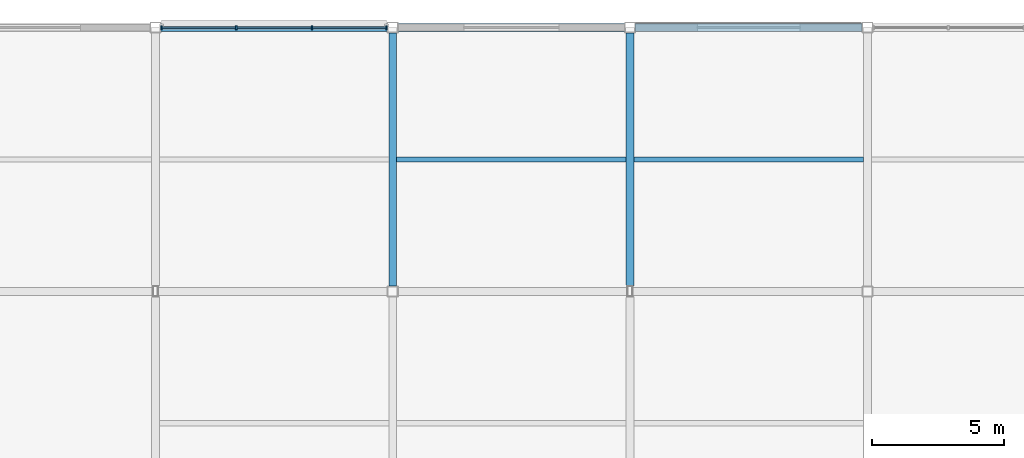
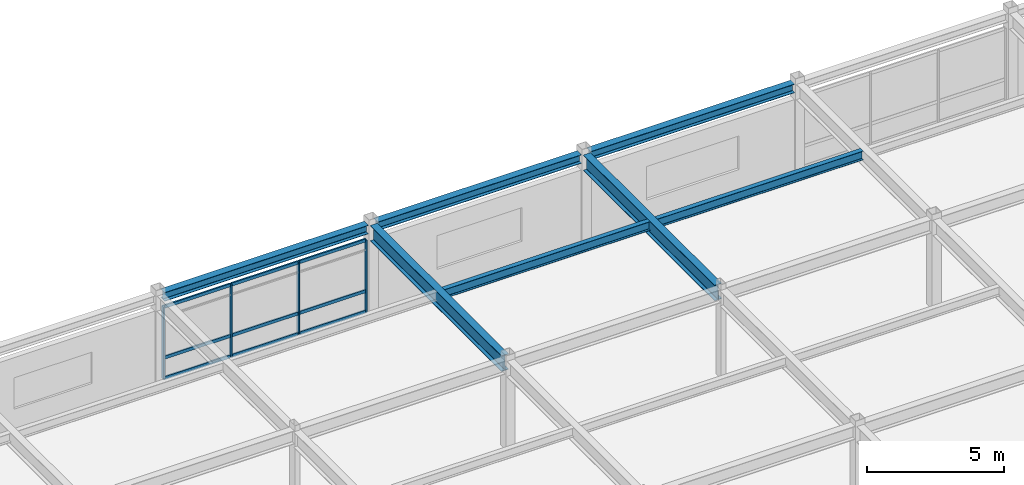
# One storey, part 49 of 108: 13 members, 7 beams, 1 element without a shape of its own.
"""IFC4 building model written with IfcOpenShell, lengths in metres."""

from ifc_helpers import new_model, si_unit, direction, frame, origin, origin_2d, place, context, subcontext, project, spatial, rectangle, i_section, extrude, material, material_profile, profile_set, type_object, element, aggregate, save


model = new_model("IFC4")

# Units and contexts
model_context = context("Model", 3, precision=1e-05, world=origin(), true_north=direction((0.0, 1.0)))
body_context = subcontext(model_context, "Body", "Model", "MODEL_VIEW")
ifc_project = project(units=[si_unit("LENGTHUNIT", "METRE"), si_unit("AREAUNIT", "SQUARE_METRE"), si_unit("VOLUMEUNIT", "CUBIC_METRE"), si_unit("PLANEANGLEUNIT", "RADIAN"), si_unit("MASSUNIT", "GRAM", prefix="KILO")], contexts=[model_context])

# Site, building, storey
site_placement = place(None, origin())
site = spatial("IfcSite", under=ifc_project, at=site_placement, CompositionType="ELEMENT")
building_placement = place(site_placement, origin())
building = spatial("IfcBuilding", under=site, at=building_placement, Name="Suzunagisa Mobility Hub", CompositionType="ELEMENT")
storey_placement = place(building_placement, frame((0.0, 0.0, 9.300048828125)))
storey = spatial("IfcBuildingStorey", under=building, at=storey_placement, Name="L02", CompositionType="ELEMENT", Elevation=9.300048828125)

# Curtain wall, members
ifc_material_1 = material(Name="Thermally Broken Anodized Aluminum and Low-E Glazing", Category="aluminium")
curtain_wall_type = type_object("IfcCurtainWallType", Name="Unitised Curtain Wall CW-18 8500x3200", PredefinedType="USERDEFINED", material=ifc_material_1)
curtain_wall_placement = place(storey_placement, origin())
curtain_wall = element("IfcCurtainWall", 1, at=curtain_wall_placement, inside=storey, type_object=curtain_wall_type, Name="L02 Unitised Curtain Wall CW-117", ObjectType="UNITISED CURTAIN WALL", PredefinedType="USERDEFINED")
ifc_material_2 = material(Name="Anodized Aluminum 6063-T6", Category="aluminium")
ifc_material_profile_1 = material_profile(ifc_material_2, rectangle(XDim=0.06494140625, YDim=0.139892578125, at=origin_2d()), Name="TRAN-65x140")
ifc_profile_set_1 = profile_set([ifc_material_profile_1], Name="Anodized Aluminum 6063-T6")
member_type_1 = type_object("IfcMemberType", Name="Curtain Wall Framing CM-01 TRAN-65x140", PredefinedType="USERDEFINED", material=ifc_profile_set_1)
member_1_placement = place(storey_placement, frame((80.741943359375, 118.0, 0.032470703125), z_axis=(-1.0, 0.0, 0.0), x_axis=(0.0, -1.0, 0.0)))
member_1 = element("IfcMember", 2, at=member_1_placement, type_object=member_type_1, Name="Curtain Wall Transom 117-T1.1", ObjectType="TRANSOM", PredefinedType="USERDEFINED", context=body_context, shape_type="SweptSolid", body=[
    extrude(rectangle(XDim=0.06494140625, YDim=0.139892578125, at=origin_2d()), origin(), (0.0, 0.0, 1.0), 2.78076171875),
])
member_2_placement = place(storey_placement, frame((80.741943359375, 118.0, 0.949951171875), z_axis=(-1.0, 0.0, 0.0), x_axis=(0.0, -1.0, 0.0)))
member_2 = element("IfcMember", 3, at=member_2_placement, type_object=member_type_1, Name="Curtain Wall Transom 117-T1.2", ObjectType="TRANSOM", PredefinedType="USERDEFINED", context=body_context, shape_type="SweptSolid", body=[
    extrude(rectangle(XDim=0.06494140625, YDim=0.139892578125, at=origin_2d()), origin(), (0.0, 0.0, 1.0), 2.78076171875),
])
member_3_placement = place(storey_placement, frame((80.741943359375, 118.0, 3.217529296875), z_axis=(-1.0, 0.0, 0.0), x_axis=(0.0, -1.0, 0.0)))
member_3 = element("IfcMember", 4, at=member_3_placement, type_object=member_type_1, Name="Curtain Wall Transom 117-T1.3", ObjectType="TRANSOM", PredefinedType="USERDEFINED", context=body_context, shape_type="SweptSolid", body=[
    extrude(rectangle(XDim=0.06494140625, YDim=0.139892578125, at=origin_2d()), origin(), (0.0, 0.0, 1.0), 2.78076171875),
])
member_4_placement = place(storey_placement, frame((77.9052734375, 118.0, 0.032470703125), z_axis=(-1.0, 0.0, 0.0), x_axis=(0.0, -1.0, 0.0)))
member_4 = element("IfcMember", 5, at=member_4_placement, type_object=member_type_1, Name="Curtain Wall Transom 117-T2.1", ObjectType="TRANSOM", PredefinedType="USERDEFINED", context=body_context, shape_type="SweptSolid", body=[
    extrude(rectangle(XDim=0.06494140625, YDim=0.139892578125, at=origin_2d()), origin(), (0.0, 0.0, 1.0), 2.810546875),
])
member_5_placement = place(storey_placement, frame((77.9052734375, 118.0, 0.949951171875), z_axis=(-1.0, 0.0, 0.0), x_axis=(0.0, -1.0, 0.0)))
member_5 = element("IfcMember", 6, at=member_5_placement, type_object=member_type_1, Name="Curtain Wall Transom 117-T2.2", ObjectType="TRANSOM", PredefinedType="USERDEFINED", context=body_context, shape_type="SweptSolid", body=[
    extrude(rectangle(XDim=0.06494140625, YDim=0.139892578125, at=origin_2d()), origin(), (0.0, 0.0, 1.0), 2.810546875),
])
member_6_placement = place(storey_placement, frame((77.9052734375, 118.0, 3.217529296875), z_axis=(-1.0, 0.0, 0.0), x_axis=(0.0, -1.0, 0.0)))
member_6 = element("IfcMember", 7, at=member_6_placement, type_object=member_type_1, Name="Curtain Wall Transom 117-T2.3", ObjectType="TRANSOM", PredefinedType="USERDEFINED", context=body_context, shape_type="SweptSolid", body=[
    extrude(rectangle(XDim=0.06494140625, YDim=0.139892578125, at=origin_2d()), origin(), (0.0, 0.0, 1.0), 2.810546875),
])
member_7_placement = place(storey_placement, frame((75.038818359375, 118.0, 0.032470703125), z_axis=(-1.0, 0.0, 0.0), x_axis=(0.0, -1.0, 0.0)))
member_7 = element("IfcMember", 8, at=member_7_placement, type_object=member_type_1, Name="Curtain Wall Transom 117-T3.1", ObjectType="TRANSOM", PredefinedType="USERDEFINED", context=body_context, shape_type="SweptSolid", body=[
    extrude(rectangle(XDim=0.06494140625, YDim=0.139892578125, at=origin_2d()), origin(), (0.0, 0.0, 1.0), 2.78076171875),
])
member_8_placement = place(storey_placement, frame((75.038818359375, 118.0, 0.949951171875), z_axis=(-1.0, 0.0, 0.0), x_axis=(0.0, -1.0, 0.0)))
member_8 = element("IfcMember", 9, at=member_8_placement, type_object=member_type_1, Name="Curtain Wall Transom 117-T3.2", ObjectType="TRANSOM", PredefinedType="USERDEFINED", context=body_context, shape_type="SweptSolid", body=[
    extrude(rectangle(XDim=0.06494140625, YDim=0.139892578125, at=origin_2d()), origin(), (0.0, 0.0, 1.0), 2.78076171875),
])
member_9_placement = place(storey_placement, frame((75.038818359375, 118.0, 3.217529296875), z_axis=(-1.0, 0.0, 0.0), x_axis=(0.0, -1.0, 0.0)))
member_9 = element("IfcMember", 10, at=member_9_placement, type_object=member_type_1, Name="Curtain Wall Transom 117-T3.3", ObjectType="TRANSOM", PredefinedType="USERDEFINED", context=body_context, shape_type="SweptSolid", body=[
    extrude(rectangle(XDim=0.06494140625, YDim=0.139892578125, at=origin_2d()), origin(), (0.0, 0.0, 1.0), 2.78076171875),
])
ifc_material_profile_2 = material_profile(ifc_material_2, rectangle(XDim=0.06005859375, YDim=0.14990234375, at=origin_2d()), Name="MULL-60x150")
ifc_profile_set_2 = profile_set([ifc_material_profile_2], Name="Anodized Aluminum 6063-T6")
member_type_2 = type_object("IfcMemberType", Name="Curtain Wall Framing CM-03 MULL-60x150", PredefinedType="MULLION", material=ifc_profile_set_2)
member_10_placement = place(storey_placement, frame((80.77001953125, 118.0, 0.0), z_axis=(0.0, 0.0, 1.0), x_axis=(-1.0, 0.0, 0.0)))
member_10 = element("IfcMember", 11, at=member_10_placement, type_object=member_type_2, Name="Curtain Wall Mullion 117-M1", PredefinedType="MULLION", context=body_context, shape_type="SweptSolid", body=[
    extrude(rectangle(XDim=0.06005859375, YDim=0.14990234375, at=origin_2d()), origin(), (0.0, 0.0, 1.0), 3.25),
])
member_11_placement = place(storey_placement, frame((77.933349609375, 118.0, 0.0), z_axis=(0.0, 0.0, 1.0), x_axis=(-1.0, 0.0, 0.0)))
member_11 = element("IfcMember", 12, at=member_11_placement, type_object=member_type_2, Name="Curtain Wall Mullion 117-M2", PredefinedType="MULLION", context=body_context, shape_type="SweptSolid", body=[
    extrude(rectangle(XDim=0.06005859375, YDim=0.14990234375, at=origin_2d()), origin(), (0.0, 0.0, 1.0), 3.25),
])
member_12_placement = place(storey_placement, frame((75.066650390625, 118.0, 0.0), z_axis=(0.0, 0.0, 1.0), x_axis=(-1.0, 0.0, 0.0)))
member_12 = element("IfcMember", 13, at=member_12_placement, type_object=member_type_2, Name="Curtain Wall Mullion 117-M3", PredefinedType="MULLION", context=body_context, shape_type="SweptSolid", body=[
    extrude(rectangle(XDim=0.06005859375, YDim=0.14990234375, at=origin_2d()), origin(), (0.0, 0.0, 1.0), 3.25),
])
member_13_placement = place(storey_placement, frame((72.22998046875, 118.0, 0.0), z_axis=(0.0, 0.0, 1.0), x_axis=(-1.0, 0.0, 0.0)))
member_13 = element("IfcMember", 14, at=member_13_placement, type_object=member_type_2, Name="Curtain Wall Mullion 117-M4", PredefinedType="MULLION", context=body_context, shape_type="SweptSolid", body=[
    extrude(rectangle(XDim=0.06005859375, YDim=0.14990234375, at=origin_2d()), origin(), (0.0, 0.0, 1.0), 3.25),
])
aggregate(curtain_wall, [member_10, member_11, member_12, member_13, member_1, member_2, member_3, member_4, member_5, member_6, member_7, member_8, member_9])

# Beams
ifc_material_3 = material(Name="Steel SN490B", Category="steel")
ifc_material_profile_3 = material_profile(ifc_material_3, i_section(OverallWidth=0.300048828125, OverallDepth=0.699951171875, WebThickness=0.012939453125, FlangeThickness=0.02392578125, FilletRadius=0.01806640625, at=origin_2d()), Name="H-700x300x13x24")
ifc_profile_set_3 = profile_set([ifc_material_profile_3], Name="Steel SN490B")
beam_type_1 = type_object("IfcBeamType", Name="Steel Beam BM-11 H-700x300x13x24", PredefinedType="BEAM", material=ifc_profile_set_3)
for number, where, z_axis, x_axis, name in (
    (15, (81.0, 108.196044921875, 3.599853515625), (0.0, 1.0, 0.0), (-1.0, 0.0, 0.0), "L02 Primary Girder GY-978"),
    (16, (90.0, 108.196044921875, 3.599853515625), (0.0, 1.0, 0.0), (-1.0, 0.0, 0.0), "L02 Primary Girder GY-982"),
):
    element("IfcBeam", number, at=place(storey_placement, frame(where, z_axis=z_axis, x_axis=x_axis)), inside=storey, type_object=beam_type_1, Name=name, PredefinedType="BEAM", context=body_context, shape_type="SweptSolid", body=[
        extrude(i_section(OverallWidth=0.300048828125, OverallDepth=0.699951171875, WebThickness=0.012939453125, FlangeThickness=0.02392578125, FilletRadius=0.01806640625, at=origin_2d()), origin(), (0.0, 0.0, 1.0), 9.60791015625),
    ])
ifc_material_profile_4 = material_profile(ifc_material_3, i_section(OverallWidth=0.300048828125, OverallDepth=0.389892578125, WebThickness=0.010009765625, FlangeThickness=0.01611328125, FilletRadius=0.012939453125, at=origin_2d()), Name="H-390x300x10x16")
ifc_profile_set_4 = profile_set([ifc_material_profile_4], Name="Steel SN490B")
beam_type_2 = type_object("IfcBeamType", Name="Steel Beam BM-13 H-390x300x10x16", PredefinedType="SPANDREL", material=ifc_profile_set_4)
for number, where, z_axis, x_axis, name in (
    (17, (72.196044921875, 118.0, 3.7548828125), (1.0, 0.0, 0.0), (0.0, 1.0, 0.0), "L02 Primary Girder GX-954"),
    (18, (81.196044921875, 118.0, 3.7548828125), (1.0, 0.0, 0.0), (0.0, 1.0, 0.0), "L02 Primary Girder GX-955"),
    (19, (90.196044921875, 118.0, 3.7548828125), (1.0, 0.0, 0.0), (0.0, 1.0, 0.0), "L02 Primary Girder GX-956"),
):
    element("IfcBeam", number, at=place(storey_placement, frame(where, z_axis=z_axis, x_axis=x_axis)), inside=storey, type_object=beam_type_2, Name=name, PredefinedType="SPANDREL", context=body_context, shape_type="SweptSolid", body=[
        extrude(i_section(OverallWidth=0.300048828125, OverallDepth=0.389892578125, WebThickness=0.010009765625, FlangeThickness=0.01611328125, FilletRadius=0.012939453125, at=origin_2d()), origin(), (0.0, 0.0, 1.0), 8.60791015625),
    ])
ifc_material_4 = material(Name="Steel SN400B", Category="steel")
ifc_material_profile_5 = material_profile(ifc_material_4, i_section(OverallWidth=0.199951171875, OverallDepth=0.39990234375, WebThickness=0.008056640625, FlangeThickness=0.012939453125, FilletRadius=0.012939453125, at=origin_2d()), Name="H-400x200x8x13")
ifc_profile_set_5 = profile_set([ifc_material_profile_5], Name="Steel SN400B")
beam_type_3 = type_object("IfcBeamType", Name="Steel Beam BM-14 H-400x200x8x13", PredefinedType="JOIST", material=ifc_profile_set_5)
for number, where, z_axis, x_axis, name in (
    (20, (81.14990234375, 113.0, 3.75), (1.0, 0.0, 0.0), (0.0, 1.0, 0.0), "L02 Composite Floor Joist J-1015"),
    (21, (90.14990234375, 113.0, 3.75), (1.0, 0.0, 0.0), (0.0, 1.0, 0.0), "L02 Composite Floor Joist J-1018"),
):
    element("IfcBeam", number, at=place(storey_placement, frame(where, z_axis=z_axis, x_axis=x_axis)), inside=storey, type_object=beam_type_3, Name=name, PredefinedType="JOIST", context=body_context, shape_type="SweptSolid", body=[
        extrude(i_section(OverallWidth=0.199951171875, OverallDepth=0.39990234375, WebThickness=0.008056640625, FlangeThickness=0.012939453125, FilletRadius=0.012939453125, at=origin_2d()), origin(), (0.0, 0.0, 1.0), 8.7001953125),
    ])

save(model, "model.ifc")
